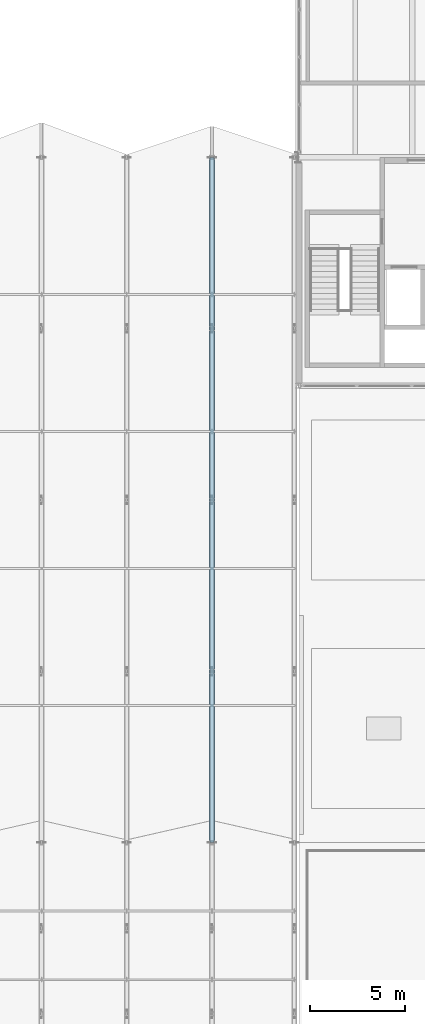
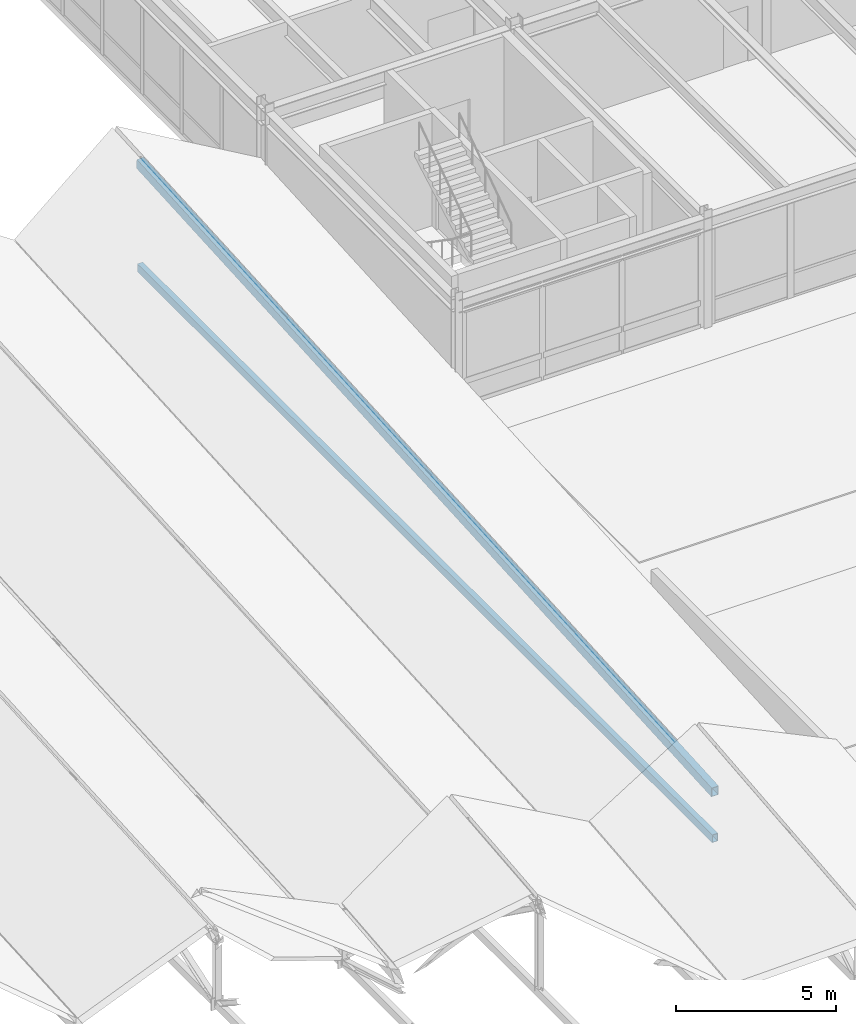
# One storey, part 56 of 142: 2 members.
"""IFC4 building model written with IfcOpenShell, lengths in metres."""

from ifc_helpers import new_model, si_unit, direction, frame, origin, origin_2d, place, context, subcontext, project, spatial, hollow_rectangle, extrude, material, material_profile, profile_set, type_object, element, save


model = new_model("IFC4")

# Units and contexts
model_context = context("Model", 3, precision=1e-05, world=origin(), true_north=direction((0.0, 1.0)))
body_context = subcontext(model_context, "Body", "Model", "MODEL_VIEW")
ifc_project = project(units=[si_unit("LENGTHUNIT", "METRE"), si_unit("AREAUNIT", "SQUARE_METRE"), si_unit("VOLUMEUNIT", "CUBIC_METRE"), si_unit("PLANEANGLEUNIT", "RADIAN"), si_unit("MASSUNIT", "GRAM", prefix="KILO")], contexts=[model_context])

# Site, building, storey
site_placement = place(None, origin())
site = spatial("IfcSite", under=ifc_project, at=site_placement, CompositionType="ELEMENT")
building_placement = place(site_placement, origin())
building = spatial("IfcBuilding", under=site, at=building_placement, Name="Montelvaro Courts of Justice", CompositionType="ELEMENT")
storey_placement = place(building_placement, frame((0.0, 0.0, 14.39990234375)))
storey = spatial("IfcBuildingStorey", under=building, at=storey_placement, Name="L03", CompositionType="ELEMENT", Elevation=14.39990234375)

# Members
ifc_material = material(Name="Steel S355", Category="steel")
ifc_material_profile_1 = material_profile(ifc_material, hollow_rectangle(XDim=0.199951171875, YDim=0.300048828125, WallThickness=0.012451171875, at=origin_2d()), Name="RHS 300x200x12.5")
ifc_profile_set_1 = profile_set([ifc_material_profile_1], Name="Steel S355")
member_type_1 = type_object("IfcMemberType", Name="Mem_RHS300_Chord", PredefinedType="CHORD", material=ifc_profile_set_1)
member_1_placement = place(storey_placement, frame((94.47509765625, 42.0, -0.2998046875), z_axis=(0.0, 1.0, 0.0), x_axis=(-1.0, 0.0, 0.0)))
element("IfcMember", 1, at=member_1_placement, inside=storey, type_object=member_type_1, Name="Roof Truss ROOF-PASSAGE-RTR05 Bottom Chord", PredefinedType="CHORD", context=body_context, shape_type="SweptSolid", body=[
    extrude(hollow_rectangle(XDim=0.199951171875, YDim=0.300048828125, WallThickness=0.012451171875, at=origin_2d()), origin(), (0.0, 0.0, 1.0), 36.0),
])
ifc_material_profile_2 = material_profile(ifc_material, hollow_rectangle(XDim=0.25, YDim=0.35009765625, WallThickness=0.012451171875, at=origin_2d()), Name="RHS 350x250x12.5")
ifc_profile_set_2 = profile_set([ifc_material_profile_2], Name="Steel S355")
member_type_2 = type_object("IfcMemberType", Name="Mem_RHS350_Chord", PredefinedType="CHORD", material=ifc_profile_set_2)
member_2_placement = place(storey_placement, frame((94.47509765625, 42.0, 1.47998046875), z_axis=(0.0, 0.998137600235, 0.061002713035), x_axis=(-1.0, 0.0, 0.0)))
element("IfcMember", 2, at=member_2_placement, inside=storey, type_object=member_type_2, Name="Roof Truss ROOF-PASSAGE-RTR05 Top Chord", PredefinedType="CHORD", context=body_context, shape_type="SweptSolid", body=[
    extrude(hollow_rectangle(XDim=0.25, YDim=0.35009765625, WallThickness=0.012451171875, at=origin_2d()), origin(), (0.0, 0.0, 1.0), 36.067138671875),
])

save(model, "model.ifc")
